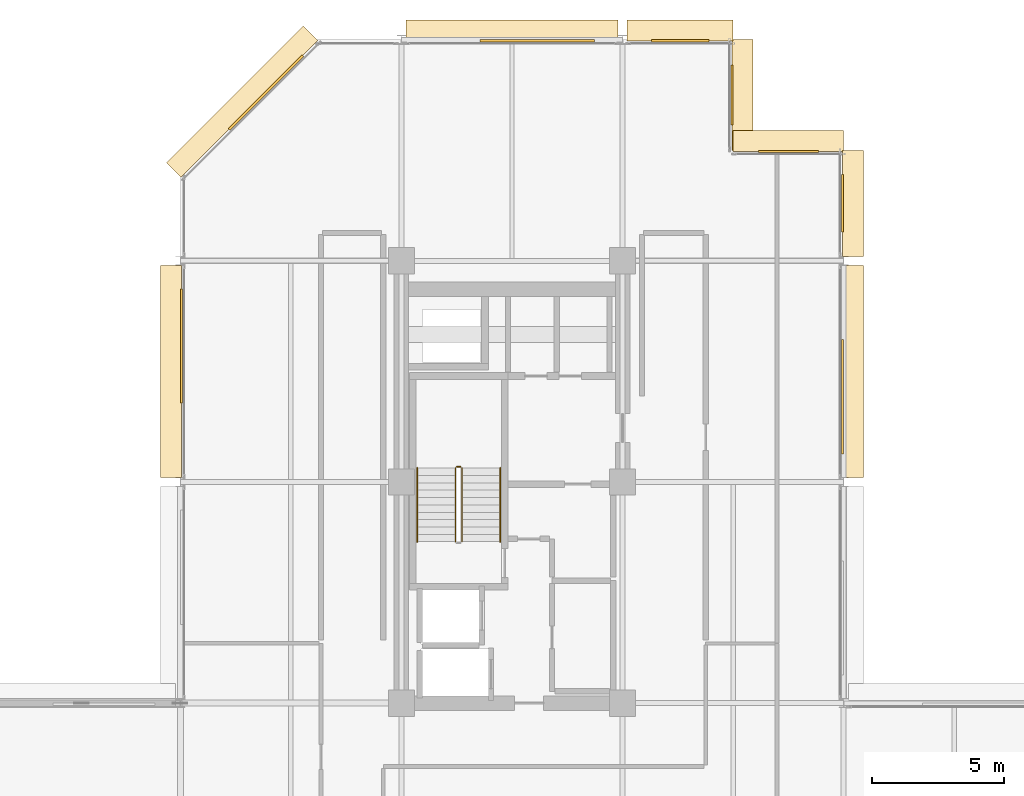
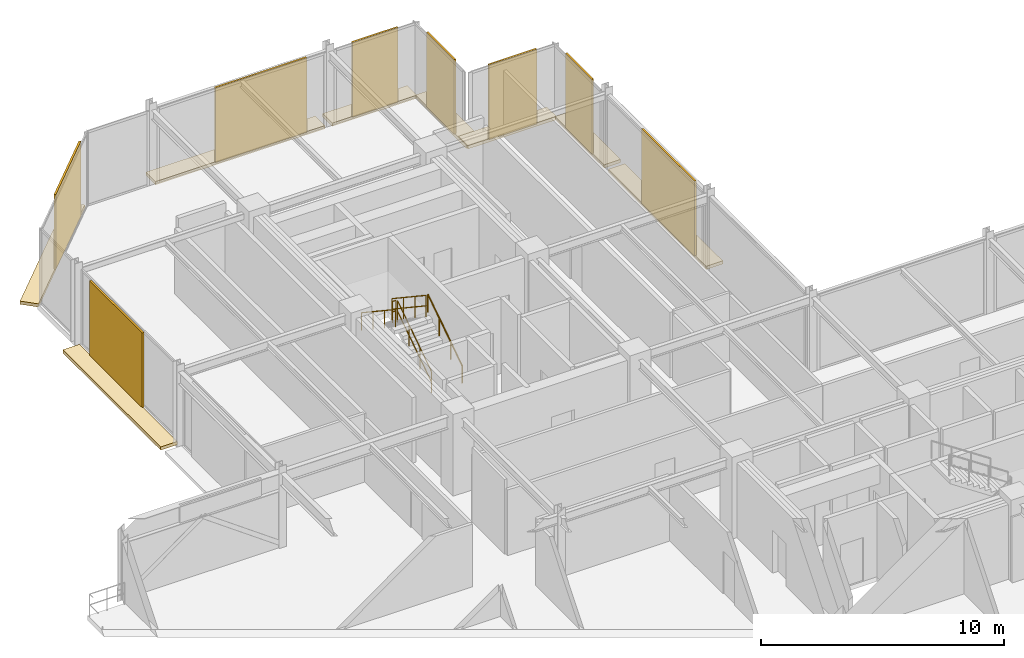
# One storey, part 30 of 30: 16 coverings, 5 railings.
"""IFC4 building model written with IfcOpenShell, lengths in metres."""

from ifc_helpers import new_model, si_unit, direction, frame, origin, origin_2d, place, context, subcontext, project, spatial, polyline, rectangle, circle, outline, extrude, material, layer, layer_set, type_object, element, save


model = new_model("IFC4")

# Units and contexts
model_context = context("Model", 3, precision=1e-05, world=origin(), true_north=direction((0.0, 1.0)))
body_context = subcontext(model_context, "Body", "Model", "MODEL_VIEW")
ifc_project = project(units=[si_unit("LENGTHUNIT", "METRE"), si_unit("AREAUNIT", "SQUARE_METRE"), si_unit("VOLUMEUNIT", "CUBIC_METRE"), si_unit("PLANEANGLEUNIT", "RADIAN"), si_unit("MASSUNIT", "GRAM", prefix="KILO")], contexts=[model_context])

# Site, building, storey
site_placement = place(None, origin())
site = spatial("IfcSite", under=ifc_project, at=site_placement, CompositionType="ELEMENT")
building_placement = place(site_placement, origin())
building = spatial("IfcBuilding", under=site, at=building_placement, Name="Nerrivon Quay Data Exchange", CompositionType="ELEMENT")
storey_placement = place(building_placement, frame((0.0, 0.0, 216.5)))
storey = spatial("IfcBuildingStorey", under=building, at=storey_placement, Name="L51", CompositionType="ELEMENT", Elevation=216.5)

# Coverings
ifc_material_1 = material(Name="Architectural terracotta ceramic", Category="masonry")
ifc_layer_1 = layer(ifc_material_1, 0.159912109375)
ifc_layer_set_1 = layer_set([ifc_layer_1], Name="Architectural terracotta ceramic")
covering_type_1 = type_object("IfcCoveringType", Name="COV-BLD-TERR", PredefinedType="CLADDING", material=ifc_layer_set_1)
covering_1_placement = place(storey_placement, frame((0.0, 0.0, -0.159912109375)))
element("IfcCovering", 1, at=covering_1_placement, inside=storey, type_object=covering_type_1, Name="L51 Horizontal Terracotta SOLAR SCREEN Blade", PredefinedType="CLADDING", context=body_context, shape_type="SweptSolid", body=[
    extrude(outline(polyline([(0.0400390625, 33.77490234375), (0.0400390625, 41.824951171875), (-0.75, 41.824951171875), (-0.75, 33.77490234375), (0.0400390625, 33.77490234375)])), origin(), (0.0, 0.0, 1.0), 0.159912109375),
])
covering_2_placement = place(storey_placement, frame((0.0, 0.0, -0.159912109375)))
element("IfcCovering", 2, at=covering_2_placement, inside=storey, type_object=covering_type_1, Name="L51 Horizontal Terracotta SOLAR SCREEN Blade", PredefinedType="CLADDING", context=body_context, shape_type="SweptSolid", body=[
    extrude(outline(polyline([(0.0283203125, 45.171630859375), (5.228271484375, 50.37158203125), (4.669677734375, 50.930419921875), (-0.5302734375, 45.730224609375), (0.0283203125, 45.171630859375)])), origin(), (0.0, 0.0, 1.0), 0.159912109375),
])
covering_3_placement = place(storey_placement, frame((0.0, 0.0, -0.159912109375)))
element("IfcCovering", 3, at=covering_3_placement, inside=storey, type_object=covering_type_1, Name="L51 Horizontal Terracotta SOLAR SCREEN Blade", PredefinedType="CLADDING", context=body_context, shape_type="SweptSolid", body=[
    extrude(outline(polyline([(8.574951171875, 50.360107421875), (16.625, 50.360107421875), (16.625, 51.14990234375), (8.574951171875, 51.14990234375), (8.574951171875, 50.360107421875)])), origin(), (0.0, 0.0, 1.0), 0.159912109375),
])
covering_4_placement = place(storey_placement, frame((0.0, 0.0, -0.159912109375)))
element("IfcCovering", 4, at=covering_4_placement, inside=storey, type_object=covering_type_1, Name="L51 Horizontal Terracotta SOLAR SCREEN Blade", PredefinedType="CLADDING", context=body_context, shape_type="SweptSolid", body=[
    extrude(outline(polyline([(16.97509765625, 50.360107421875), (21.0, 50.360107421875), (21.0, 51.14990234375), (16.97509765625, 51.14990234375), (16.97509765625, 50.360107421875)])), origin(), (0.0, 0.0, 1.0), 0.159912109375),
])
covering_5_placement = place(storey_placement, frame((0.0, 0.0, -0.159912109375)))
element("IfcCovering", 5, at=covering_5_placement, inside=storey, type_object=covering_type_1, Name="L51 Horizontal Terracotta SOLAR SCREEN Blade", PredefinedType="CLADDING", context=body_context, shape_type="SweptSolid", body=[
    extrude(outline(polyline([(20.9599609375, 50.39990234375), (20.9599609375, 46.199951171875), (21.75, 46.199951171875), (21.75, 50.39990234375), (20.9599609375, 50.39990234375)])), origin(), (0.0, 0.0, 1.0), 0.159912109375),
])
covering_6_placement = place(storey_placement, frame((0.0, 0.0, -0.159912109375)))
element("IfcCovering", 6, at=covering_6_placement, inside=storey, type_object=covering_type_1, Name="L51 Horizontal Terracotta SOLAR SCREEN Blade", PredefinedType="CLADDING", context=body_context, shape_type="SweptSolid", body=[
    extrude(outline(polyline([(21.0, 46.159912109375), (25.199951171875, 46.159912109375), (25.199951171875, 46.949951171875), (21.0, 46.949951171875), (21.0, 46.159912109375)])), origin(), (0.0, 0.0, 1.0), 0.159912109375),
])
covering_7_placement = place(storey_placement, frame((0.0, 0.0, -0.159912109375)))
element("IfcCovering", 7, at=covering_7_placement, inside=storey, type_object=covering_type_1, Name="L51 Horizontal Terracotta SOLAR SCREEN Blade", PredefinedType="CLADDING", context=body_context, shape_type="SweptSolid", body=[
    extrude(outline(polyline([(25.159912109375, 46.199951171875), (25.159912109375, 42.175048828125), (25.949951171875, 42.175048828125), (25.949951171875, 46.199951171875), (25.159912109375, 46.199951171875)])), origin(), (0.0, 0.0, 1.0), 0.159912109375),
])
covering_8_placement = place(storey_placement, frame((0.0, 0.0, -0.159912109375)))
element("IfcCovering", 8, at=covering_8_placement, inside=storey, type_object=covering_type_1, Name="L51 Horizontal Terracotta SOLAR SCREEN Blade", PredefinedType="CLADDING", context=body_context, shape_type="SweptSolid", body=[
    extrude(outline(polyline([(25.159912109375, 41.824951171875), (25.159912109375, 33.77490234375), (25.949951171875, 33.77490234375), (25.949951171875, 41.824951171875), (25.159912109375, 41.824951171875)])), origin(), (0.0, 0.0, 1.0), 0.159912109375),
])
ifc_layer_2 = layer(ifc_material_1, 0.090087890625)
ifc_layer_set_2 = layer_set([ifc_layer_2], Name="Architectural terracotta ceramic")
covering_type_2 = type_object("IfcCoveringType", Name="COV-SCR-TERR", PredefinedType="CLADDING", material=ifc_layer_set_2)
covering_9_placement = place(storey_placement, frame((0.044921875, 38.76611328125, 0.0), z_axis=(0.0, 0.0, 1.0), x_axis=(0.0, 1.0, 0.0)))
element("IfcCovering", 9, at=covering_9_placement, inside=storey, type_object=covering_type_2, Name="L51 Perforated Terracotta SOLAR SCREEN Cassette", PredefinedType="CLADDING", context=body_context, shape_type="SweptSolid", body=[
    extrude(rectangle(XDim=4.346923828125, YDim=0.090087890625, at=origin_2d()), origin(), (0.0, 0.0, 1.0), 3.75),
])
covering_10_placement = place(storey_placement, frame((3.255859375, 48.39208984375, 0.0), z_axis=(0.0, 0.0, 1.0), x_axis=(0.707106781187, 0.707106781187, 0.0)))
element("IfcCovering", 10, at=covering_10_placement, inside=storey, type_object=covering_type_2, Name="L51 Perforated Terracotta SOLAR SCREEN Cassette", PredefinedType="CLADDING", context=body_context, shape_type="SweptSolid", body=[
    extrude(rectangle(XDim=3.970947265625, YDim=0.090087890625, at=origin_2d()), origin(), (0.0, 0.0, 1.0), 3.75),
])
covering_11_placement = place(storey_placement, frame((13.56591796875, 50.35498046875, 0.0), z_axis=(0.0, 0.0, 1.0), x_axis=(1.0, 0.0, 0.0)))
element("IfcCovering", 11, at=covering_11_placement, inside=storey, type_object=covering_type_2, Name="L51 Perforated Terracotta SOLAR SCREEN Cassette", PredefinedType="CLADDING", context=body_context, shape_type="SweptSolid", body=[
    extrude(rectangle(XDim=4.346923828125, YDim=0.090087890625, at=origin_2d()), origin(), (0.0, 0.0, 1.0), 3.75),
])
covering_12_placement = place(storey_placement, frame((18.987548828125, 50.35498046875, 0.0), z_axis=(0.0, 0.0, 1.0), x_axis=(1.0, 0.0, 0.0)))
element("IfcCovering", 12, at=covering_12_placement, inside=storey, type_object=covering_type_2, Name="L51 Perforated Terracotta SOLAR SCREEN Cassette", PredefinedType="CLADDING", context=body_context, shape_type="SweptSolid", body=[
    extrude(rectangle(XDim=2.173095703125, YDim=0.090087890625, at=origin_2d()), origin(), (0.0, 0.0, 1.0), 3.75),
])
for number, where, z_axis, x_axis, name in (
    (13, (20.955078125, 48.300048828125, 0.0), (0.0, 0.0, 1.0), (0.0, -1.0, 0.0), "L51 Perforated Terracotta SOLAR SCREEN Cassette"),
    (14, (23.10009765625, 46.155029296875, 0.0), (0.0, 0.0, 1.0), (1.0, 0.0, 0.0), "L51 Perforated Terracotta SOLAR SCREEN Cassette"),
):
    element("IfcCovering", number, at=place(storey_placement, frame(where, z_axis=z_axis, x_axis=x_axis)), inside=storey, type_object=covering_type_2, Name=name, PredefinedType="CLADDING", context=body_context, shape_type="SweptSolid", body=[
        extrude(rectangle(XDim=2.26806640625, YDim=0.090087890625, at=origin_2d()), origin(), (0.0, 0.0, 1.0), 3.75),
    ])
covering_13_placement = place(storey_placement, frame((25.155029296875, 44.1875, 0.0), z_axis=(0.0, 0.0, 1.0), x_axis=(0.0, -1.0, 0.0)))
element("IfcCovering", 15, at=covering_13_placement, inside=storey, type_object=covering_type_2, Name="L51 Perforated Terracotta SOLAR SCREEN Cassette", PredefinedType="CLADDING", context=body_context, shape_type="SweptSolid", body=[
    extrude(rectangle(XDim=2.174072265625, YDim=0.090087890625, at=origin_2d()), origin(), (0.0, 0.0, 1.0), 3.75),
])
covering_14_placement = place(storey_placement, frame((25.155029296875, 36.833984375, 0.0), z_axis=(0.0, 0.0, 1.0), x_axis=(0.0, -1.0, 0.0)))
element("IfcCovering", 16, at=covering_14_placement, inside=storey, type_object=covering_type_2, Name="L51 Perforated Terracotta SOLAR SCREEN Cassette", PredefinedType="CLADDING", context=body_context, shape_type="SweptSolid", body=[
    extrude(rectangle(XDim=4.346923828125, YDim=0.090087890625, at=origin_2d()), origin(), (0.0, 0.0, 1.0), 3.75),
])

# Railings
ifc_material_2 = material(Name="Steel Grade C350L0 (350 MPa)", Category="steel")
railing_type_1 = type_object("IfcRailingType", Name="RAIL-HAND-HR1", PredefinedType="HANDRAIL", material=ifc_material_2)
railing_1_placement = place(storey_placement, frame((12.14990234375, 31.330078125, 0.186279296875)))
element("IfcRailing", 17, at=railing_1_placement, inside=storey, type_object=railing_type_1, Name="L51 ST01 stair handrail 1", PredefinedType="HANDRAIL", context=body_context, shape_type="SweptSolid", body=[
    extrude(circle(Radius=0.02392578125, at=origin_2d()), frame((0.0, 0.0, 0.8759765625), z_axis=(0.0, 0.832429786209, 0.554130536094), x_axis=(-1.0, 0.0, 0.0)), (0.0, 0.0, 1.0), 3.363525390625),
    extrude(circle(Radius=0.02099609375, at=origin_2d()), origin(), (0.0, 0.0, 1.0), 0.851806640625),
    extrude(circle(Radius=0.02099609375, at=origin_2d()), frame((0.0, 0.933349609375, 0.621337890625)), (0.0, 0.0, 1.0), 0.851806640625),
    extrude(circle(Radius=0.02099609375, at=origin_2d()), frame((0.0, 1.866455078125, 1.242431640625)), (0.0, 0.0, 1.0), 0.851806640625),
    extrude(circle(Radius=0.02099609375, at=origin_2d()), frame((0.0, 2.7998046875, 1.86376953125)), (0.0, 0.0, 1.0), 0.851806640625),
])
railing_2_placement = place(storey_placement, frame((9.0, 34.1298828125, 2.236328125)))
element("IfcRailing", 18, at=railing_2_placement, inside=storey, type_object=railing_type_1, Name="L51 ST01 stair handrail 2", PredefinedType="HANDRAIL", context=body_context, shape_type="SweptSolid", body=[
    extrude(circle(Radius=0.02392578125, at=origin_2d()), frame((0.0, 0.0, 0.8759765625), z_axis=(0.0, -0.832429786209, 0.554130536094), x_axis=(1.0, 0.0, 0.0)), (0.0, 0.0, 1.0), 3.363525390625),
    extrude(circle(Radius=0.02099609375, at=origin_2d()), origin(), (0.0, 0.0, 1.0), 0.851806640625),
    extrude(circle(Radius=0.02099609375, at=origin_2d()), frame((0.0, -0.933349609375, 0.621337890625)), (0.0, 0.0, 1.0), 0.851806640625),
    extrude(circle(Radius=0.02099609375, at=origin_2d()), frame((0.0, -1.866455078125, 1.242431640625)), (0.0, 0.0, 1.0), 0.851806640625),
    extrude(circle(Radius=0.02099609375, at=origin_2d()), frame((0.0, -2.7998046875, 1.86376953125)), (0.0, 0.0, 1.0), 0.851806640625),
])
railing_type_2 = type_object("IfcRailingType", Name="RAIL-STAIR-GR1", PredefinedType="BALUSTRADE", material=ifc_material_2)
railing_3_placement = place(storey_placement, frame((10.699951171875, 31.330078125, 0.186279296875)))
element("IfcRailing", 19, at=railing_3_placement, inside=storey, type_object=railing_type_2, Name="L51 ST01 stair guard 1", PredefinedType="BALUSTRADE", context=body_context, shape_type="SweptSolid", body=[
    extrude(circle(Radius=0.02392578125, at=origin_2d()), frame((0.0, 0.0, 1.076171875), z_axis=(0.0, 0.832429786209, 0.554130536094), x_axis=(-1.0, 0.0, 0.0)), (0.0, 0.0, 1.0), 3.363525390625),
    extrude(circle(Radius=0.02392578125, at=origin_2d()), frame((0.0, 0.0, 0.550048828125), z_axis=(0.0, 0.832429786209, 0.554130536094), x_axis=(-1.0, 0.0, 0.0)), (0.0, 0.0, 1.0), 3.363525390625),
    extrude(circle(Radius=0.02099609375, at=origin_2d()), origin(), (0.0, 0.0, 1.0), 1.052001953125),
    extrude(circle(Radius=0.02099609375, at=origin_2d()), frame((0.0, 0.933349609375, 0.621337890625)), (0.0, 0.0, 1.0), 1.052001953125),
    extrude(circle(Radius=0.02099609375, at=origin_2d()), frame((0.0, 1.866455078125, 1.242431640625)), (0.0, 0.0, 1.0), 1.052001953125),
    extrude(circle(Radius=0.02099609375, at=origin_2d()), frame((0.0, 2.7998046875, 1.86376953125)), (0.0, 0.0, 1.0), 1.052001953125),
])
railing_4_placement = place(storey_placement, frame((10.64990234375, 34.179931640625, 2.050048828125)))
element("IfcRailing", 20, at=railing_4_placement, inside=storey, type_object=railing_type_2, Name="L51 ST01 stair guard 2", PredefinedType="BALUSTRADE", context=body_context, shape_type="SweptSolid", body=[
    extrude(circle(Radius=0.02392578125, at=origin_2d()), frame((0.0, 0.0, 1.076171875), z_axis=(-1.0, 0.0, 0.0), x_axis=(0.0, -1.0, 0.0)), (0.0, 0.0, 1.0), 0.14990234375),
    extrude(circle(Radius=0.02392578125, at=origin_2d()), frame((0.0, 0.0, 0.550048828125), z_axis=(-1.0, 0.0, 0.0), x_axis=(0.0, -1.0, 0.0)), (0.0, 0.0, 1.0), 0.14990234375),
    extrude(circle(Radius=0.02099609375, at=origin_2d()), origin(), (0.0, 0.0, 1.0), 1.052001953125),
    extrude(circle(Radius=0.02099609375, at=origin_2d()), frame((-0.14990234375, 0.0, 0.0)), (0.0, 0.0, 1.0), 1.052001953125),
])
railing_5_placement = place(storey_placement, frame((10.449951171875, 34.1298828125, 2.236328125)))
element("IfcRailing", 21, at=railing_5_placement, inside=storey, type_object=railing_type_2, Name="L51 ST01 stair guard 3", PredefinedType="BALUSTRADE", context=body_context, shape_type="SweptSolid", body=[
    extrude(circle(Radius=0.02392578125, at=origin_2d()), frame((0.0, 0.0, 1.076171875), z_axis=(0.0, -0.832429786209, 0.554130536094), x_axis=(1.0, 0.0, 0.0)), (0.0, 0.0, 1.0), 3.363525390625),
    extrude(circle(Radius=0.02392578125, at=origin_2d()), frame((0.0, 0.0, 0.550048828125), z_axis=(0.0, -0.832429786209, 0.554130536094), x_axis=(1.0, 0.0, 0.0)), (0.0, 0.0, 1.0), 3.363525390625),
    extrude(circle(Radius=0.02099609375, at=origin_2d()), origin(), (0.0, 0.0, 1.0), 1.052001953125),
    extrude(circle(Radius=0.02099609375, at=origin_2d()), frame((0.0, -0.933349609375, 0.621337890625)), (0.0, 0.0, 1.0), 1.052001953125),
    extrude(circle(Radius=0.02099609375, at=origin_2d()), frame((0.0, -1.866455078125, 1.242431640625)), (0.0, 0.0, 1.0), 1.052001953125),
    extrude(circle(Radius=0.02099609375, at=origin_2d()), frame((0.0, -2.7998046875, 1.86376953125)), (0.0, 0.0, 1.0), 1.052001953125),
])

save(model, "model.ifc")
